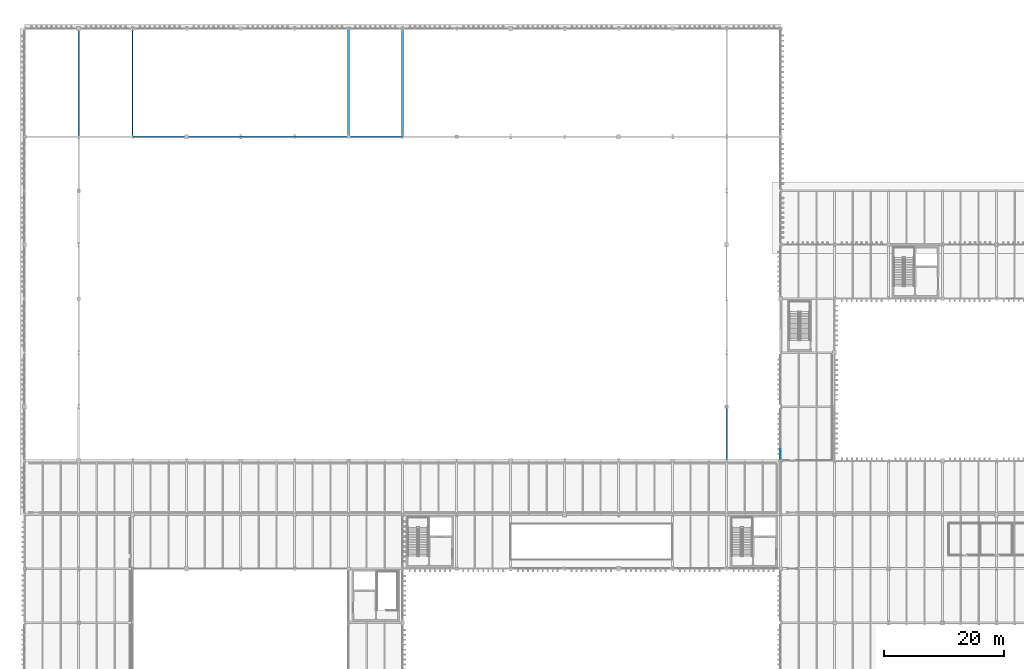
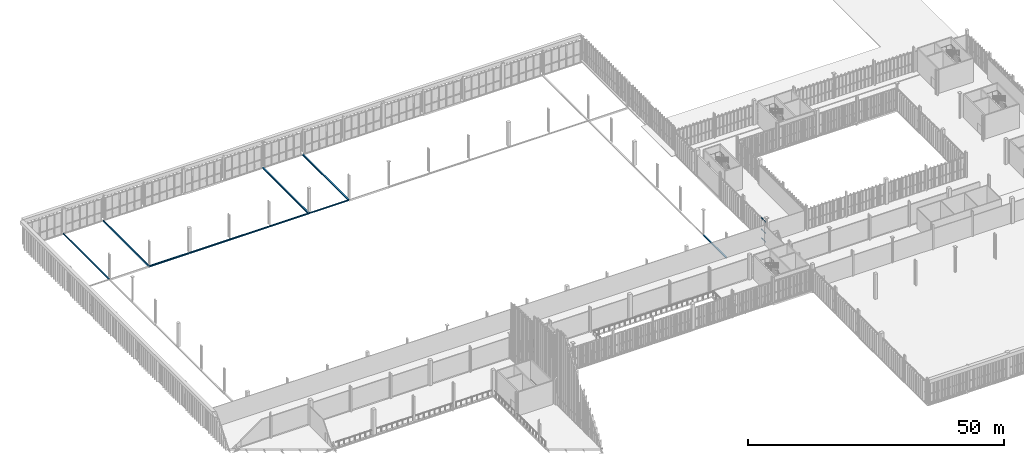
# One storey, part 99 of 237: 10 beams, 3 members, 1 element without a shape of its own.
"""IFC4 building model written with IfcOpenShell, lengths in metres."""

import ifcopenshell
import ifcopenshell.guid

model = None  # the IFC model being written
_history = None  # IfcOwnerHistory: only IFC2X3 demands one
_inside = {}  # id of a spatial element -> (the spatial element, [elements in it])
_under = {}  # id of a project, library or spatial element -> (it, [spatial elements below it])
_declared = {}  # id of a project -> (the project, [libraries it declares])
_typed = {}  # id of a type object -> (the type object, [elements of that type])
_made_of = {}  # id of a material, layer set ... -> (it, [elements and type objects made of it])


def new_model(schema):
    """Start an empty IFC model of exactly this schema.

    Asked for "IFC4X3", IfcOpenShell would pick the latest addendum, in which some entities
    have other attributes; the version numbers below select the first issue.
    IFC2X3 requires an IfcOwnerHistory on every rooted entity: one is made here for all.
    """
    global model, _history
    if schema == "IFC4X3":
        model = ifcopenshell.file(schema_version=(4, 3, 0, 0))
    else:
        model = ifcopenshell.file(schema=schema)
    _inside.clear()
    _under.clear()
    _declared.clear()
    _typed.clear()
    _made_of.clear()
    _history = None
    if model.schema == "IFC2X3":
        org = make("IfcOrganization", Name="unknown")
        user = make(
            "IfcPersonAndOrganization",
            ThePerson=make("IfcPerson", FamilyName="unknown"),
            TheOrganization=org,
        )
        app = make(
            "IfcApplication",
            ApplicationDeveloper=org,
            Version="unknown",
            ApplicationFullName="unknown",
            ApplicationIdentifier="unknown",
        )
        _history = make(
            "IfcOwnerHistory",
            OwningUser=user,
            OwningApplication=app,
            ChangeAction="ADDED",
            CreationDate=0,
        )
    return model


def make(cls, **values):
    """One entity of the class cls with the attributes given. An attribute that is None is left unset."""
    return model.create_entity(
        cls, **{name: value for name, value in values.items() if value is not None}
    )


def rooted(cls, **values):
    """An entity with a GlobalId (a new one), such as an element, a storey or a relation."""
    return make(cls, GlobalId=ifcopenshell.guid.new(), OwnerHistory=_history, **values)


def si_unit(unit_type, name, prefix=None):
    """IfcSIUnit, for example si_unit("LENGTHUNIT", "METRE", prefix="MILLI")."""
    return make("IfcSIUnit", UnitType=unit_type, Prefix=prefix, Name=name)


def assignment(units):
    """IfcUnitAssignment: the units of a project."""
    return None if units is None else make("IfcUnitAssignment", Units=units)


def point(xyz):
    """IfcCartesianPoint."""
    return None if xyz is None else make("IfcCartesianPoint", Coordinates=xyz)


def direction(xyz):
    """IfcDirection."""
    return None if xyz is None else make("IfcDirection", DirectionRatios=xyz)


def frame(location, z_axis=None, x_axis=None):
    """IfcAxis2Placement3D, a coordinate frame: its origin and axes. An axis left out is left unset."""
    return make(
        "IfcAxis2Placement3D",
        Location=point(location),
        Axis=direction(z_axis),
        RefDirection=direction(x_axis),
    )


def frame_2d(location, x_axis=None):
    """IfcAxis2Placement2D, a coordinate frame in the plane: its origin and x axis."""
    return make(
        "IfcAxis2Placement2D", Location=point(location), RefDirection=direction(x_axis)
    )


def origin():
    """The frame at (0, 0, 0) with its axes left unset."""
    return frame((0.0, 0.0, 0.0))


def origin_2d():
    """The frame at (0, 0) in the plane with its x axis left unset."""
    return frame_2d((0.0, 0.0))


def place(relative_to, where):
    """IfcLocalPlacement: puts the frame where relative to a parent placement (None: the world)."""
    return make(
        "IfcLocalPlacement", PlacementRelTo=relative_to, RelativePlacement=where
    )


def context(
    kind, dimensions, precision=None, world=None, true_north=None, identifier=None
):
    """IfcGeometricRepresentationContext, for example the 3D "Model" context."""
    return make(
        "IfcGeometricRepresentationContext",
        ContextIdentifier=identifier,
        ContextType=kind,
        CoordinateSpaceDimension=dimensions,
        Precision=precision,
        WorldCoordinateSystem=world,
        TrueNorth=true_north,
    )


def subcontext(parent, identifier, kind, view, scale=None):
    """IfcGeometricRepresentationSubContext, for example "Body" below "Model"."""
    return make(
        "IfcGeometricRepresentationSubContext",
        ContextIdentifier=identifier,
        ContextType=kind,
        ParentContext=parent,
        TargetScale=scale,
        TargetView=view,
    )


def project(units=None, contexts=None):
    """IfcProject with its units and contexts."""
    return rooted(
        "IfcProject",
        Name="project",
        RepresentationContexts=contexts,
        UnitsInContext=assignment(units),
    )


def spatial(cls, under=None, at=None, **own):
    """A site, building, storey or space (cls), placed at a placement, below another one or the project."""
    s = rooted(cls, ObjectPlacement=at, **own)
    if under is not None:
        _under.setdefault(under.id(), (under, []))[1].append(s)
    return s


def profile(cls, at=None, kind="AREA", **sizes):
    """A parametric profile (cls). Its sizes go by their IFC names, for example OverallWidth=200.0."""
    return make(cls, ProfileType=kind, Position=at, **sizes)


def hollow_rectangle(**sizes):
    """IfcRectangleHollowProfileDef."""
    return profile("IfcRectangleHollowProfileDef", **sizes)


def i_section(**sizes):
    """IfcIShapeProfileDef."""
    return profile("IfcIShapeProfileDef", **sizes)


def extrude(swept, where, along, depth):
    """IfcExtrudedAreaSolid: the profile swept, set in the frame where, extruded along a direction by depth."""
    return make(
        "IfcExtrudedAreaSolid",
        SweptArea=swept,
        Position=where,
        ExtrudedDirection=direction(along),
        Depth=depth,
    )


def shape(context_of_items, identifier, shape_type, items):
    """IfcShapeRepresentation: the items that make up one representation, for example the "Body"."""
    return make(
        "IfcShapeRepresentation",
        ContextOfItems=context_of_items,
        RepresentationIdentifier=identifier,
        RepresentationType=shape_type,
        Items=items,
    )


def material(Name=None, Category=None):
    """IfcMaterial."""
    return make("IfcMaterial", Name=Name, Category=Category)


def layer(
    of_material, thickness, ventilated=None, Name=None, Category=None, Priority=None
):
    """IfcMaterialLayer: one layer of a wall or slab, of a material (None: an air gap)."""
    return make(
        "IfcMaterialLayer",
        Material=of_material,
        LayerThickness=thickness,
        IsVentilated=ventilated,
        Name=Name,
        Category=Category,
        Priority=Priority,
    )


def layer_set(layers, Name=None):
    """IfcMaterialLayerSet."""
    return make("IfcMaterialLayerSet", MaterialLayers=layers, LayerSetName=Name)


def material_profile(
    of_material, cross_section, Name=None, Category=None, Priority=None
):
    """IfcMaterialProfile: a cross section and its material."""
    return make(
        "IfcMaterialProfile",
        Name=Name,
        Material=of_material,
        Profile=cross_section,
        Priority=Priority,
        Category=Category,
    )


def profile_set(profiles, Name=None, composite=None):
    """IfcMaterialProfileSet."""
    return make(
        "IfcMaterialProfileSet",
        Name=Name,
        MaterialProfiles=profiles,
        CompositeProfile=composite,
    )


def made_of(thing, what):
    """Note that an element or type object is made of a material, layer set ...; save() writes the relation."""
    if what is not None:
        _made_of.setdefault(what.id(), (what, []))[1].append(thing)
    return thing


def type_object(cls, material=None, **own):
    """A type object (cls), such as IfcWallType, which elements share."""
    return made_of(rooted(cls, **own), material)


def element(
    cls,
    number,
    at=None,
    inside=None,
    cuts=None,
    type_object=None,
    material=None,
    context=None,
    identifier="Body",
    shape_type=None,
    held_by="IfcProductDefinitionShape",
    body=None,
    shapes=None,
    **own,
):
    """One element of the class cls, such as IfcWall. Its Tag is "e" and its number.

    at: its placement. inside: the storey or other place that contains it. cuts: it is an
    opening in that element (IfcRelVoidsElement). A single representation is given by context,
    identifier, shape_type and body (its items); several are given by shapes. held_by: the class
    of the entity that holds the representations. save() writes the other relations.
    """
    e = rooted(cls, Tag="e%d" % number, ObjectPlacement=at, **own)
    if body is not None:
        shapes = [shape(context, identifier, shape_type, body)]
    if shapes is not None:
        e.Representation = make(held_by, Representations=shapes)
    if inside is not None:
        _inside.setdefault(inside.id(), (inside, []))[1].append(e)
    if cuts is not None:
        rooted(
            "IfcRelVoidsElement", RelatingBuildingElement=cuts, RelatedOpeningElement=e
        )
    if type_object is not None:
        _typed.setdefault(type_object.id(), (type_object, []))[1].append(e)
    return made_of(e, material)


def aggregate(whole, parts):
    """IfcRelAggregates: a whole, such as a stair, and the parts it consists of."""
    return rooted("IfcRelAggregates", RelatingObject=whole, RelatedObjects=parts)


def save(model, path):
    """Write the relations noted so far, then the file.

    IfcRelAggregates (storeys below a building ...), IfcRelContainedInSpatialStructure (elements
    in a storey), IfcRelDefinesByType, IfcRelAssociatesMaterial and IfcRelDeclares: one each for
    every whole, place, type object, material and project.
    """
    for whole, parts in _under.values():
        aggregate(whole, parts)
    for where, things in _inside.values():
        rooted(
            "IfcRelContainedInSpatialStructure",
            RelatedElements=things,
            RelatingStructure=where,
        )
    for kind, things in _typed.values():
        rooted("IfcRelDefinesByType", RelatedObjects=things, RelatingType=kind)
    for what, things in _made_of.values():
        rooted("IfcRelAssociatesMaterial", RelatedObjects=things, RelatingMaterial=what)
    for by, libraries in _declared.values():
        rooted("IfcRelDeclares", RelatingContext=by, RelatedDefinitions=libraries)
    model.write(path)


model = new_model("IFC4")

# Units and contexts
model_context = context("Model", 3, precision=1e-05, world=origin(), true_north=direction((0.0, 1.0)))
body_context = subcontext(model_context, "Body", "Model", "MODEL_VIEW")
ifc_project = project(units=[si_unit("LENGTHUNIT", "METRE"), si_unit("AREAUNIT", "SQUARE_METRE"), si_unit("VOLUMEUNIT", "CUBIC_METRE"), si_unit("PLANEANGLEUNIT", "RADIAN"), si_unit("MASSUNIT", "GRAM", prefix="KILO")], contexts=[model_context])

# Site, building, storey
site_placement = place(None, origin())
site = spatial("IfcSite", under=ifc_project, at=site_placement, CompositionType="ELEMENT")
building_placement = place(site_placement, origin())
building = spatial("IfcBuilding", under=site, at=building_placement, Name="Barlavento Convention Centre", CompositionType="ELEMENT")
storey_placement = place(building_placement, frame((0.0, 0.0, 12.0)))
storey = spatial("IfcBuildingStorey", under=building, at=storey_placement, Name="L02", CompositionType="ELEMENT", Elevation=12.0)

# Curtain wall, members
ifc_material_1 = material(Name="Powder-coated aluminium and Low-E glass", Category="aluminium")
ifc_layer = layer(ifc_material_1, 0.195068359375)
ifc_layer_set = layer_set([ifc_layer], Name="ARC-CW-BALL-L02")
curtain_wall_type = type_object("IfcCurtainWallType", Name="ARC-CW-BALL-L02", PredefinedType="NOTDEFINED", material=ifc_layer_set)
curtain_wall_placement = place(storey_placement, origin())
curtain_wall = element("IfcCurtainWall", 1, at=curtain_wall_placement, inside=storey, type_object=curtain_wall_type, Name="L02 unitised curtain wall CW07", PredefinedType="NOTDEFINED")
ifc_material_2 = material(Name="Powder-coated aluminium", Category="aluminium")
ifc_material_profile_1 = material_profile(ifc_material_2, hollow_rectangle(XDim=0.06005859375, YDim=0.139892578125, WallThickness=0.00390625, at=origin_2d()), Name="AL-TRAN 60x140x4")
ifc_profile_set_1 = profile_set([ifc_material_profile_1], Name="Powder-coated aluminium")
member_type = type_object("IfcMemberType", Name="ARC-CWT-60X140", PredefinedType="USERDEFINED", material=ifc_profile_set_1)
member_1_placement = place(storey_placement, frame((126.0, 63.333251953125, 0.030029296875), z_axis=(0.0, 1.0, 0.0), x_axis=(-1.0, 0.0, 0.0)))
member_1 = element("IfcMember", 2, at=member_1_placement, type_object=member_type, Name="CW07 transom 1.1", ObjectType="TRANSOM", PredefinedType="USERDEFINED", context=body_context, shape_type="SweptSolid", body=[
    extrude(hollow_rectangle(XDim=0.06005859375, YDim=0.139892578125, WallThickness=0.00390625, at=origin_2d()), origin(), (0.0, 0.0, 1.0), 1.574462890625),
])
member_2_placement = place(storey_placement, frame((126.0, 63.333251953125, 2.10009765625), z_axis=(0.0, 1.0, 0.0), x_axis=(-1.0, 0.0, 0.0)))
member_2 = element("IfcMember", 3, at=member_2_placement, type_object=member_type, Name="CW07 transom 1.2", ObjectType="TRANSOM", PredefinedType="USERDEFINED", context=body_context, shape_type="SweptSolid", body=[
    extrude(hollow_rectangle(XDim=0.06005859375, YDim=0.139892578125, WallThickness=0.00390625, at=origin_2d()), origin(), (0.0, 0.0, 1.0), 1.574462890625),
])
member_3_placement = place(storey_placement, frame((126.0, 63.333251953125, 4.820068359375), z_axis=(0.0, 1.0, 0.0), x_axis=(-1.0, 0.0, 0.0)))
member_3 = element("IfcMember", 4, at=member_3_placement, type_object=member_type, Name="CW07 transom 1.3", ObjectType="TRANSOM", PredefinedType="USERDEFINED", context=body_context, shape_type="SweptSolid", body=[
    extrude(hollow_rectangle(XDim=0.06005859375, YDim=0.139892578125, WallThickness=0.00390625, at=origin_2d()), origin(), (0.0, 0.0, 1.0), 1.574462890625),
])
aggregate(curtain_wall, [member_1, member_2, member_3])

# Beams
ifc_material_3 = material(Name="Steel S355", Category="steel")
ifc_material_profile_2 = material_profile(ifc_material_3, i_section(OverallWidth=0.239990234375, OverallDepth=0.22998046875, WebThickness=0.007568359375, FlangeThickness=0.011962890625, FilletRadius=0.02099609375, at=origin_2d()), Name="HEA 240")
ifc_profile_set_2 = profile_set([ifc_material_profile_2], Name="Steel S355")
beam_type_1 = type_object("IfcBeamType", Name="STR-BM-SPN-HEA240", PredefinedType="SPANDREL", material=ifc_profile_set_2)
beam_1_placement = place(storey_placement, frame((54.02001953125, 117.0, -0.47509765625), z_axis=(1.0, 0.0, 0.0), x_axis=(0.0, 1.0, 0.0)))
element("IfcBeam", 5, at=beam_1_placement, inside=storey, type_object=beam_type_1, Name="L02 primary girder SP05", PredefinedType="SPANDREL", context=body_context, shape_type="SweptSolid", body=[
    extrude(i_section(OverallWidth=0.239990234375, OverallDepth=0.22998046875, WebThickness=0.007568359375, FlangeThickness=0.011962890625, FilletRadius=0.02099609375, at=origin_2d()), origin(), (0.0, 0.0, 1.0), 8.9599609375),
])
beam_2_placement = place(storey_placement, frame((9.0, 117.02001953125, -0.47509765625), z_axis=(0.0, 1.0, 0.0), x_axis=(-1.0, 0.0, 0.0)))
element("IfcBeam", 6, at=beam_2_placement, inside=storey, type_object=beam_type_1, Name="L02 grid girder SP05", PredefinedType="SPANDREL", context=body_context, shape_type="SweptSolid", body=[
    extrude(i_section(OverallWidth=0.239990234375, OverallDepth=0.22998046875, WebThickness=0.007568359375, FlangeThickness=0.011962890625, FilletRadius=0.02099609375, at=origin_2d()), origin(), (0.0, 0.0, 1.0), 17.9599609375),
])
ifc_material_profile_3 = material_profile(ifc_material_3, i_section(OverallWidth=0.260009765625, OverallDepth=0.25, WebThickness=0.007568359375, FlangeThickness=0.012451171875, FilletRadius=0.02392578125, at=origin_2d()), Name="HEA 260")
ifc_profile_set_3 = profile_set([ifc_material_profile_3], Name="Steel S355")
beam_type_2 = type_object("IfcBeamType", Name="STR-BM-SPN-HEA260", PredefinedType="SPANDREL", material=ifc_profile_set_3)
beam_3_placement = place(storey_placement, frame((45.02001953125, 117.0, -0.485107421875), z_axis=(1.0, 0.0, 0.0), x_axis=(0.0, 1.0, 0.0)))
element("IfcBeam", 7, at=beam_3_placement, inside=storey, type_object=beam_type_2, Name="L02 primary girder SP04", PredefinedType="SPANDREL", context=body_context, shape_type="SweptSolid", body=[
    extrude(i_section(OverallWidth=0.260009765625, OverallDepth=0.25, WebThickness=0.007568359375, FlangeThickness=0.012451171875, FilletRadius=0.02392578125, at=origin_2d()), origin(), (0.0, 0.0, 1.0), 8.9599609375),
])
ifc_material_profile_4 = material_profile(ifc_material_3, i_section(OverallWidth=0.280029296875, OverallDepth=0.27001953125, WebThickness=0.008056640625, FlangeThickness=0.012939453125, FilletRadius=0.02392578125, at=origin_2d()), Name="HEA 280")
ifc_profile_set_4 = profile_set([ifc_material_profile_4], Name="Steel S355")
beam_type_3 = type_object("IfcBeamType", Name="STR-BM-SPN-HEA280", PredefinedType="SPANDREL", material=ifc_profile_set_4)
for number, where, z_axis, x_axis, name in (
    (8, (36.02001953125, 117.0, -0.4951171875), (1.0, 0.0, 0.0), (0.0, 1.0, 0.0), "L02 primary girder SP03"),
    (9, (117.0, 63.02001953125, -0.4150390625), (0.0, 1.0, 0.0), (-1.0, 0.0, 0.0), "L02 grid girder SP03"),
):
    element("IfcBeam", number, at=place(storey_placement, frame(where, z_axis=z_axis, x_axis=x_axis)), inside=storey, type_object=beam_type_3, Name=name, PredefinedType="SPANDREL", context=body_context, shape_type="SweptSolid", body=[
        extrude(i_section(OverallWidth=0.280029296875, OverallDepth=0.27001953125, WebThickness=0.008056640625, FlangeThickness=0.012939453125, FilletRadius=0.02392578125, at=origin_2d()), origin(), (0.0, 0.0, 1.0), 8.9599609375),
    ])
ifc_material_profile_5 = material_profile(ifc_material_3, i_section(OverallWidth=0.300048828125, OverallDepth=0.2900390625, WebThickness=0.008544921875, FlangeThickness=0.013916015625, FilletRadius=0.027099609375, at=origin_2d()), Name="HEA 300")
ifc_profile_set_5 = profile_set([ifc_material_profile_5], Name="Steel S355")
beam_type_4 = type_object("IfcBeamType", Name="STR-BM-SPN-HEA300", PredefinedType="SPANDREL", material=ifc_profile_set_5)
beam_4_placement = place(storey_placement, frame((27.02001953125, 117.0, -0.5048828125), z_axis=(1.0, 0.0, 0.0), x_axis=(0.0, 1.0, 0.0)))
element("IfcBeam", 10, at=beam_4_placement, inside=storey, type_object=beam_type_4, Name="L02 primary girder SP02", PredefinedType="SPANDREL", context=body_context, shape_type="SweptSolid", body=[
    extrude(i_section(OverallWidth=0.300048828125, OverallDepth=0.2900390625, WebThickness=0.008544921875, FlangeThickness=0.013916015625, FilletRadius=0.027099609375, at=origin_2d()), origin(), (0.0, 0.0, 1.0), 8.9599609375),
])
beam_5_placement = place(storey_placement, frame((63.0, 117.02001953125, -0.5048828125), z_axis=(0.0, 1.0, 0.0), x_axis=(-1.0, 0.0, 0.0)))
element("IfcBeam", 11, at=beam_5_placement, inside=storey, type_object=beam_type_4, Name="L02 grid girder SP02", PredefinedType="SPANDREL", context=body_context, shape_type="SweptSolid", body=[
    extrude(i_section(OverallWidth=0.300048828125, OverallDepth=0.2900390625, WebThickness=0.008544921875, FlangeThickness=0.013916015625, FilletRadius=0.027099609375, at=origin_2d()), origin(), (0.0, 0.0, 1.0), 17.9599609375),
])
ifc_material_profile_6 = material_profile(ifc_material_3, i_section(OverallWidth=0.300048828125, OverallDepth=0.31005859375, WebThickness=0.009033203125, FlangeThickness=0.015380859375, FilletRadius=0.027099609375, at=origin_2d()), Name="HEA 320")
ifc_profile_set_6 = profile_set([ifc_material_profile_6], Name="Steel S355")
beam_type_5 = type_object("IfcBeamType", Name="STR-BM-SPN-HEA320", PredefinedType="SPANDREL", material=ifc_profile_set_6)
beam_6_placement = place(storey_placement, frame((18.02001953125, 117.0, -0.514892578125), z_axis=(1.0, 0.0, 0.0), x_axis=(0.0, 1.0, 0.0)))
element("IfcBeam", 12, at=beam_6_placement, inside=storey, type_object=beam_type_5, Name="L02 primary girder SP01", PredefinedType="SPANDREL", context=body_context, shape_type="SweptSolid", body=[
    extrude(i_section(OverallWidth=0.300048828125, OverallDepth=0.31005859375, WebThickness=0.009033203125, FlangeThickness=0.015380859375, FilletRadius=0.027099609375, at=origin_2d()), origin(), (0.0, 0.0, 1.0), 8.9599609375),
])
beam_7_placement = place(storey_placement, frame((54.0, 117.02001953125, -0.514892578125), z_axis=(0.0, 1.0, 0.0), x_axis=(-1.0, 0.0, 0.0)))
element("IfcBeam", 13, at=beam_7_placement, inside=storey, type_object=beam_type_5, Name="L02 grid girder SP01", PredefinedType="SPANDREL", context=body_context, shape_type="SweptSolid", body=[
    extrude(i_section(OverallWidth=0.300048828125, OverallDepth=0.31005859375, WebThickness=0.009033203125, FlangeThickness=0.015380859375, FilletRadius=0.027099609375, at=origin_2d()), origin(), (0.0, 0.0, 1.0), 17.9599609375),
])
ifc_material_profile_7 = material_profile(ifc_material_3, hollow_rectangle(XDim=0.199951171875, YDim=0.39990234375, WallThickness=0.01611328125, at=origin_2d()), Name="RHS 400x200x16.0")
ifc_profile_set_7 = profile_set([ifc_material_profile_7], Name="Steel S355")
beam_type_6 = type_object("IfcBeamType", Name="STR-BM-SPN-RHS400", PredefinedType="SPANDREL", material=ifc_profile_set_7)
beam_8_placement = place(storey_placement, frame((18.0, 117.02001953125, -0.56005859375), z_axis=(0.0, 1.0, 0.0), x_axis=(-1.0, 0.0, 0.0)))
element("IfcBeam", 14, at=beam_8_placement, inside=storey, type_object=beam_type_6, Name="L02 grid girder SP06", PredefinedType="SPANDREL", context=body_context, shape_type="SweptSolid", body=[
    extrude(hollow_rectangle(XDim=0.199951171875, YDim=0.39990234375, WallThickness=0.01611328125, at=origin_2d()), origin(), (0.0, 0.0, 1.0), 17.9599609375),
])

save(model, "model.ifc")
